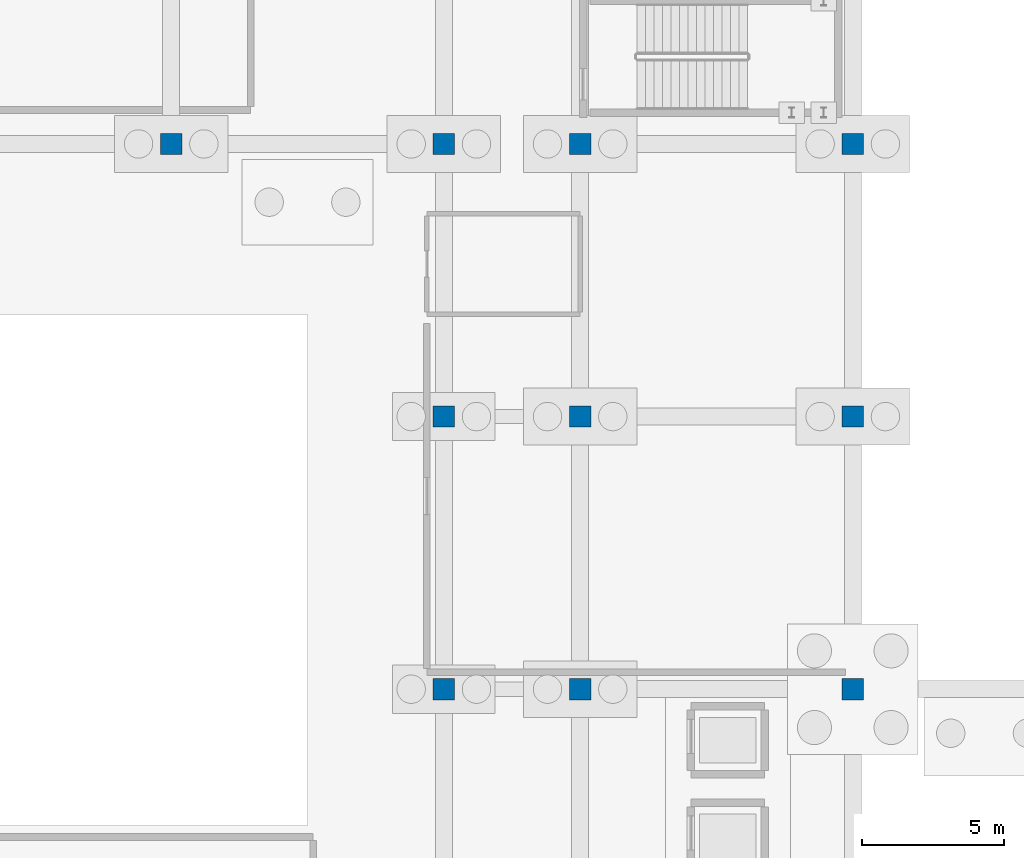
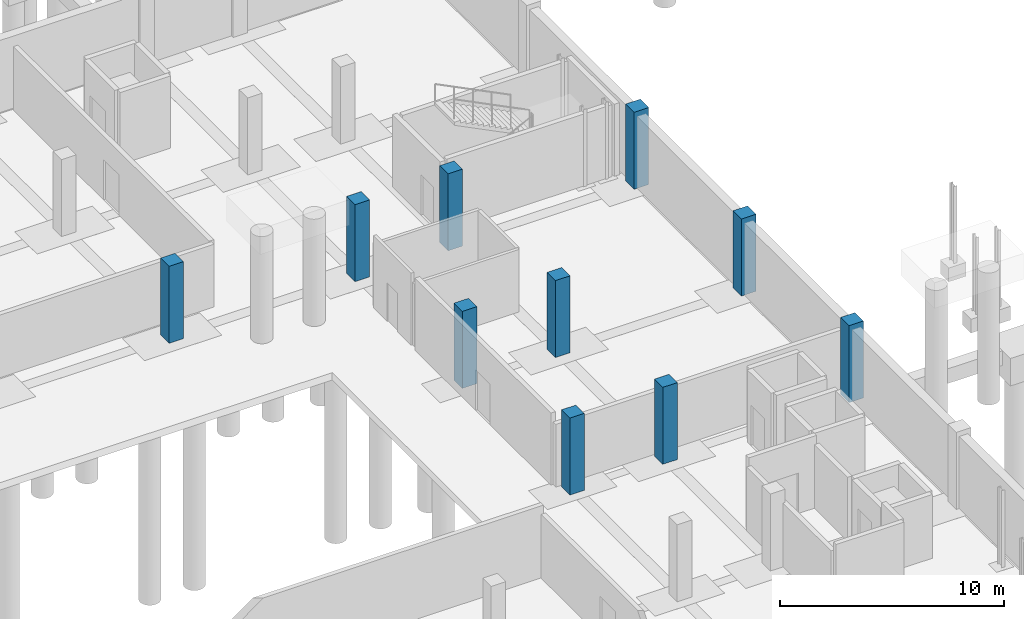
# One storey, part 26 of 54: 10 columns.
"""IFC4 building model written with IfcOpenShell, lengths in metres."""

from ifc_helpers import new_model, si_unit, direction, frame, origin, origin_2d, place, context, subcontext, project, spatial, rectangle, extrude, material, material_profile, profile_set, type_object, element, save


model = new_model("IFC4")

# Units and contexts
model_context = context("Model", 3, precision=1e-05, world=origin(), true_north=direction((0.0, 1.0)))
body_context = subcontext(model_context, "Body", "Model", "MODEL_VIEW")
ifc_project = project(units=[si_unit("LENGTHUNIT", "METRE"), si_unit("AREAUNIT", "SQUARE_METRE"), si_unit("VOLUMEUNIT", "CUBIC_METRE"), si_unit("PLANEANGLEUNIT", "RADIAN"), si_unit("MASSUNIT", "GRAM", prefix="KILO")], contexts=[model_context])

# Site, building, storey
site_placement = place(None, origin())
site = spatial("IfcSite", under=ifc_project, at=site_placement, CompositionType="ELEMENT")
building_placement = place(site_placement, origin())
building = spatial("IfcBuilding", under=site, at=building_placement, Name="Zevrakil Square Congress Hotel", CompositionType="ELEMENT")
storey_placement = place(building_placement, frame((0.0, 0.0, -8.39990234375)))
storey = spatial("IfcBuildingStorey", under=building, at=storey_placement, Name="B2", CompositionType="ELEMENT", Elevation=-8.39990234375)

# Columns
ifc_material = material(Name="Concrete C40/50", Category="concrete")
ifc_material_profile = material_profile(ifc_material, rectangle(XDim=0.75, YDim=0.75, at=origin_2d()), Name="RC 750x750")
ifc_profile_set = profile_set([ifc_material_profile], Name="Concrete C40/50")
column_type = type_object("IfcColumnType", Name="COL-RC750", PredefinedType="COLUMN", material=ifc_profile_set)
for number, where, z_axis, x_axis, name in (
    (1, (93.60009765625, 84.0, 0.0), (0.0, 0.0, 1.0), (1.0, 0.0, 0.0), "B2 column C-144"),
    (2, (103.199951171875, 64.800048828125, 0.0), (0.0, 0.0, 1.0), (1.0, 0.0, 0.0), "B2 column C-156"),
    (3, (103.199951171875, 74.39990234375, 0.0), (0.0, 0.0, 1.0), (1.0, 0.0, 0.0), "B2 column C-157"),
    (4, (103.199951171875, 84.0, 0.0), (0.0, 0.0, 1.0), (1.0, 0.0, 0.0), "B2 column C-158"),
    (5, (108.0, 64.800048828125, 0.0), (0.0, 0.0, 1.0), (1.0, 0.0, 0.0), "B2 column C-170"),
    (6, (108.0, 74.39990234375, 0.0), (0.0, 0.0, 1.0), (1.0, 0.0, 0.0), "B2 column C-171"),
    (7, (108.0, 84.0, 0.0), (0.0, 0.0, 1.0), (1.0, 0.0, 0.0), "B2 column C-172"),
    (8, (117.60009765625, 64.800048828125, 0.0), (0.0, 0.0, 1.0), (1.0, 0.0, 0.0), "B2 column C-188"),
    (9, (117.60009765625, 74.39990234375, 0.0), (0.0, 0.0, 1.0), (1.0, 0.0, 0.0), "B2 column C-189"),
    (10, (117.60009765625, 84.0, 0.0), (0.0, 0.0, 1.0), (1.0, 0.0, 0.0), "B2 column C-190"),
):
    element("IfcColumn", number, at=place(storey_placement, frame(where, z_axis=z_axis, x_axis=x_axis)), inside=storey, type_object=column_type, Name=name, PredefinedType="COLUMN", context=body_context, shape_type="SweptSolid", body=[
        extrude(rectangle(XDim=0.75, YDim=0.75, at=origin_2d()), origin(), (0.0, 0.0, 1.0), 4.199951171875),
    ])

save(model, "model.ifc")
